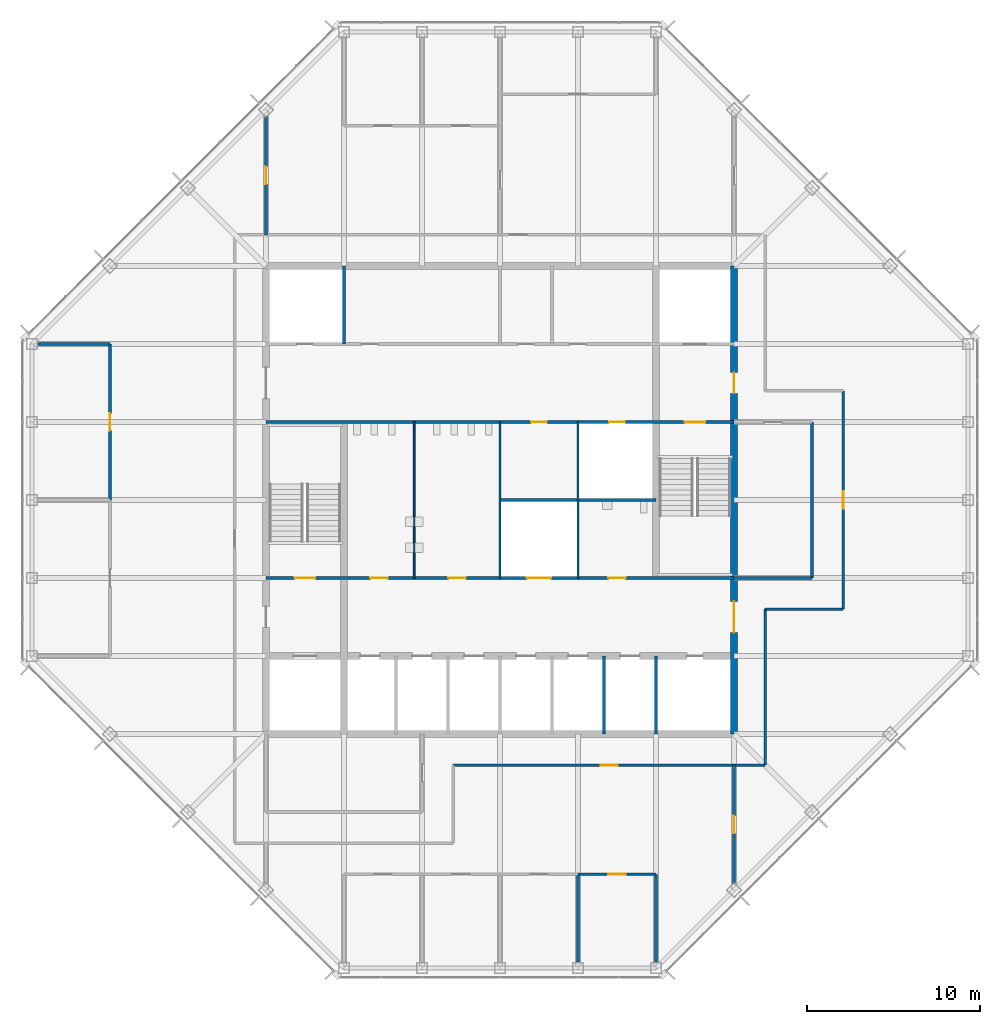
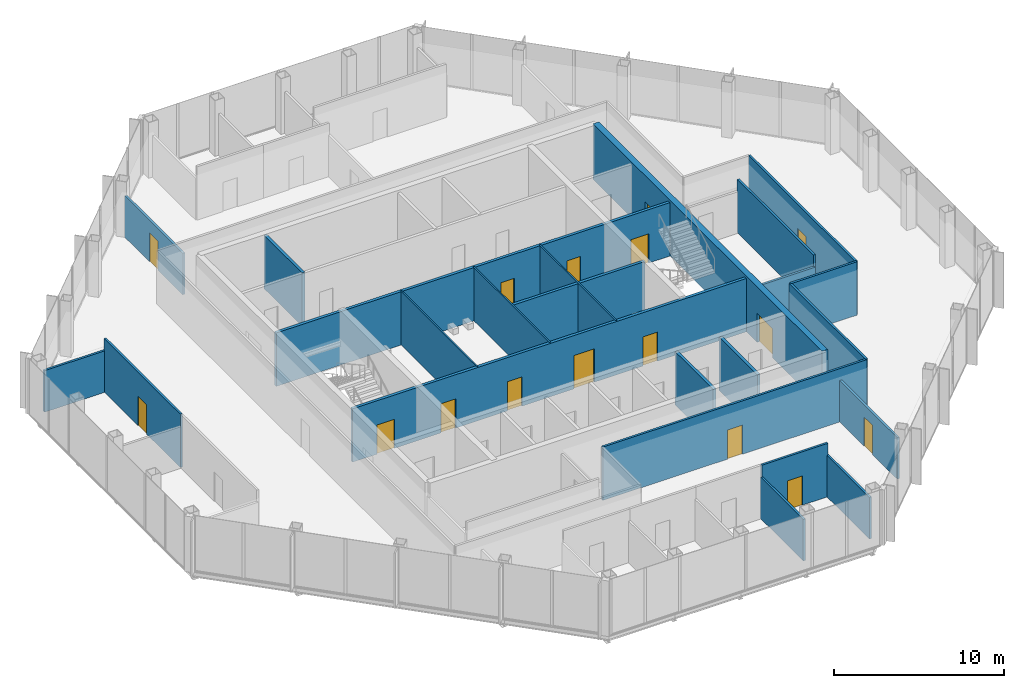
# One storey, part 10 of 13: 23 walls, 16 doors, 16 openings.
"""IFC4 building model written with IfcOpenShell, lengths in metres."""

from ifc_helpers import new_model, si_unit, direction, frame, frame_2d, origin, place, context, subcontext, project, spatial, rectangle, extrude, material, layer, layer_set, type_object, element, fill, save


model = new_model("IFC4")

# Units and contexts
model_context = context("Model", 3, precision=1e-05, world=origin(), true_north=direction((0.0, 1.0)))
body_context = subcontext(model_context, "Body", "Model", "MODEL_VIEW")
ifc_project = project(units=[si_unit("LENGTHUNIT", "METRE"), si_unit("AREAUNIT", "SQUARE_METRE"), si_unit("VOLUMEUNIT", "CUBIC_METRE"), si_unit("PLANEANGLEUNIT", "RADIAN"), si_unit("MASSUNIT", "GRAM", prefix="KILO")], contexts=[model_context])

# Site, building, storey
site_placement = place(None, origin())
site = spatial("IfcSite", under=ifc_project, at=site_placement, CompositionType="ELEMENT")
building_placement = place(site_placement, origin())
building = spatial("IfcBuilding", under=site, at=building_placement, Name="Corais Broadcast Tower", CompositionType="ELEMENT")
storey_placement = place(building_placement, frame((0.0, 0.0, 222.60009765625)))
storey = spatial("IfcBuildingStorey", under=building, at=storey_placement, Name="L51", CompositionType="ELEMENT", Elevation=222.60009765625)

# Walls
ifc_material_1 = material(Name="Concrete blockwork class A, grouted, two-hour", Category="masonry")
ifc_layer_1 = layer(ifc_material_1, 0.199951171875)
ifc_layer_set_1 = layer_set([ifc_layer_1], Name="Concrete blockwork class A, grouted, two-hour")
wall_type_1 = type_object("IfcWallType", Name="Core lobby wall 200", PredefinedType="SOLIDWALL", material=ifc_layer_set_1)
for number, where, z_axis, x_axis, name in (
    (1, (18.0, 36.0, 0.0), (0.0, 0.0, 1.0), (0.0, 1.0, 0.0), "CL3 core shaft wall X18B L51"),
    (2, (36.0, 13.5, 0.0), (0.0, 0.0, 1.0), (0.0, 1.0, 0.0), "CL3 core shaft wall X36A L51"),
):
    element("IfcWall", number, at=place(storey_placement, frame(where, z_axis=z_axis, x_axis=x_axis)), inside=storey, type_object=wall_type_1, Name=name, PredefinedType="SOLIDWALL", context=body_context, shape_type="SweptSolid", body=[
        extrude(rectangle(XDim=4.5, YDim=0.199951171875, at=frame_2d((2.25, 0.0))), origin(), (0.0, 0.0, 1.0), 3.83984375),
    ])

# Wall, openings, doors
wall_1_placement = place(storey_placement, frame((13.5, 22.5, 0.0), z_axis=(0.0, 0.0, 1.0), x_axis=(1.0, 0.0, 0.0)))
wall_1 = element("IfcWall", 3, at=wall_1_placement, inside=storey, type_object=wall_type_1, Name="CL3 core lobby wall Y225 L51", PredefinedType="SOLIDWALL", context=body_context, shape_type="SweptSolid", body=[
    extrude(rectangle(XDim=27.0, YDim=0.199951171875, at=frame_2d((13.5, 0.0))), origin(), (0.0, 0.0, 1.0), 3.83984375),
])
opening_1_placement = place(wall_1_placement, frame((1.64990234375, 0.0, 0.0)))
opening_1 = element("IfcOpeningElement", 4, at=opening_1_placement, cuts=wall_1, Name="Opening FD1", PredefinedType="OPENING", context=body_context, shape_type="SweptSolid", body=[
    extrude(rectangle(XDim=1.199951171875, YDim=2.10009765625, at=frame_2d((0.60009765625, 1.050048828125))), frame((0.0, 0.10986328125, 0.0), z_axis=(0.0, -1.0, 0.0), x_axis=(1.0, 0.0, 0.0)), (0.0, 0.0, 1.0), 0.219970703125),
])
opening_2_placement = place(wall_1_placement, frame((6.02490234375, 0.0, 0.0)))
opening_2 = element("IfcOpeningElement", 5, at=opening_2_placement, cuts=wall_1, Name="Opening WD1", PredefinedType="OPENING", context=body_context, shape_type="SweptSolid", body=[
    extrude(rectangle(XDim=1.0, YDim=2.10009765625, at=frame_2d((0.5, 1.050048828125))), frame((0.0, 0.10986328125, 0.0), z_axis=(0.0, -1.0, 0.0), x_axis=(1.0, 0.0, 0.0)), (0.0, 0.0, 1.0), 0.219970703125),
])
opening_3_placement = place(wall_1_placement, frame((10.52490234375, 0.0, 0.0)))
opening_3 = element("IfcOpeningElement", 6, at=opening_3_placement, cuts=wall_1, Name="Opening WD1", PredefinedType="OPENING", context=body_context, shape_type="SweptSolid", body=[
    extrude(rectangle(XDim=1.0, YDim=2.10009765625, at=frame_2d((0.5, 1.050048828125))), frame((0.0, 0.10986328125, 0.0), z_axis=(0.0, -1.0, 0.0), x_axis=(1.0, 0.0, 0.0)), (0.0, 0.0, 1.0), 0.219970703125),
])
opening_4_placement = place(wall_1_placement, frame((19.75, 0.0, 0.0)))
opening_4 = element("IfcOpeningElement", 7, at=opening_4_placement, cuts=wall_1, Name="Opening WD1", PredefinedType="OPENING", context=body_context, shape_type="SweptSolid", body=[
    extrude(rectangle(XDim=1.0, YDim=2.10009765625, at=frame_2d((0.5, 1.050048828125))), frame((0.0, 0.10986328125, 0.0), z_axis=(0.0, -1.0, 0.0), x_axis=(1.0, 0.0, 0.0)), (0.0, 0.0, 1.0), 0.219970703125),
])
opening_5_placement = place(wall_1_placement, frame((15.050048828125, 0.0, 0.0)))
opening_5 = element("IfcOpeningElement", 8, at=opening_5_placement, cuts=wall_1, Name="Opening LD3", PredefinedType="OPENING", context=body_context, shape_type="SweptSolid", body=[
    extrude(rectangle(XDim=1.39990234375, YDim=2.39990234375, at=frame_2d((0.699951171875, 1.199951171875))), frame((0.0, 0.10986328125, 0.0), z_axis=(0.0, -1.0, 0.0), x_axis=(1.0, 0.0, 0.0)), (0.0, 0.0, 1.0), 0.219970703125),
])
ifc_material_2 = material(Name="Steel fire door", Category="steel")
door_type_1 = type_object("IfcDoorType", Name="Fire door 1200x2100", OperationType="SINGLE_SWING_LEFT", PredefinedType="DOOR", material=ifc_material_2)
door_1_placement = place(opening_1_placement, origin())
door_1 = element("IfcDoor", 9, at=door_1_placement, inside=storey, type_object=door_type_1, Name="FD1 stair A door L51", OperationType="SINGLE_SWING_LEFT", OverallHeight=2.10009765625, OverallWidth=1.199951171875, PredefinedType="DOOR", context=body_context, shape_type="SweptSolid", body=[
    extrude(rectangle(XDim=1.199951171875, YDim=2.10009765625, at=frame_2d((0.60009765625, 1.050048828125))), frame((0.0, 0.02490234375, 0.0), z_axis=(0.0, -1.0, 0.0), x_axis=(1.0, 0.0, 0.0)), (0.0, 0.0, 1.0), 0.050048828125),
])
fill(opening_1, door_1)
ifc_material_3 = material(Name="Stainless steel lift door", Category="steel")
door_type_2 = type_object("IfcDoorType", Name="Service lift landing door 1400x2400", OperationType="SLIDING_TO_LEFT", PredefinedType="DOOR", material=ifc_material_3)
door_2_placement = place(opening_5_placement, origin())
door_2 = element("IfcDoor", 10, at=door_2_placement, inside=storey, type_object=door_type_2, Name="LD3 SL1 landing door L51", OperationType="SLIDING_TO_LEFT", OverallHeight=2.39990234375, OverallWidth=1.39990234375, PredefinedType="DOOR", context=body_context, shape_type="SweptSolid", body=[
    extrude(rectangle(XDim=1.39990234375, YDim=2.39990234375, at=frame_2d((0.699951171875, 1.199951171875))), frame((0.0, 0.02490234375, 0.0), z_axis=(0.0, -1.0, 0.0), x_axis=(1.0, 0.0, 0.0)), (0.0, 0.0, 1.0), 0.050048828125),
])
fill(opening_5, door_2)
ifc_material_4 = material(Name="Timber door", Category="wood")
door_type_3 = type_object("IfcDoorType", Name="Toilet door 1000x2100", OperationType="SINGLE_SWING_LEFT", PredefinedType="DOOR", material=ifc_material_4)
door_3_placement = place(opening_2_placement, origin())
door_3 = element("IfcDoor", 11, at=door_3_placement, inside=storey, type_object=door_type_3, Name="WD1 WC male door L51", OperationType="SINGLE_SWING_LEFT", OverallHeight=2.10009765625, OverallWidth=1.0, PredefinedType="DOOR", context=body_context, shape_type="SweptSolid", body=[
    extrude(rectangle(XDim=1.0, YDim=2.10009765625, at=frame_2d((0.5, 1.050048828125))), frame((0.0, 0.02490234375, 0.0), z_axis=(0.0, -1.0, 0.0), x_axis=(1.0, 0.0, 0.0)), (0.0, 0.0, 1.0), 0.050048828125),
])
fill(opening_2, door_3)
door_4_placement = place(opening_3_placement, origin())
door_4 = element("IfcDoor", 12, at=door_4_placement, inside=storey, type_object=door_type_3, Name="WD1 WC female door L51", OperationType="SINGLE_SWING_LEFT", OverallHeight=2.10009765625, OverallWidth=1.0, PredefinedType="DOOR", context=body_context, shape_type="SweptSolid", body=[
    extrude(rectangle(XDim=1.0, YDim=2.10009765625, at=frame_2d((0.5, 1.050048828125))), frame((0.0, 0.02490234375, 0.0), z_axis=(0.0, -1.0, 0.0), x_axis=(1.0, 0.0, 0.0)), (0.0, 0.0, 1.0), 0.050048828125),
])
fill(opening_3, door_4)
door_5_placement = place(opening_4_placement, origin())
door_5 = element("IfcDoor", 13, at=door_5_placement, inside=storey, type_object=door_type_3, Name="WD1 accessible WC door L51", OperationType="SINGLE_SWING_RIGHT", OverallHeight=2.10009765625, OverallWidth=1.0, PredefinedType="DOOR", context=body_context, shape_type="SweptSolid", body=[
    extrude(rectangle(XDim=1.0, YDim=2.10009765625, at=frame_2d((0.5, 1.050048828125))), frame((0.0, 0.02490234375, 0.0), z_axis=(0.0, -1.0, 0.0), x_axis=(1.0, 0.0, 0.0)), (0.0, 0.0, 1.0), 0.050048828125),
])
fill(opening_4, door_5)

wall_2_placement = place(storey_placement, frame((13.5, 31.5, 0.0), z_axis=(0.0, 0.0, 1.0), x_axis=(1.0, 0.0, 0.0)))
wall_2 = element("IfcWall", 14, at=wall_2_placement, inside=storey, type_object=wall_type_1, Name="CL3 core lobby wall Y315 L51", PredefinedType="SOLIDWALL", context=body_context, shape_type="SweptSolid", body=[
    extrude(rectangle(XDim=27.0, YDim=0.199951171875, at=frame_2d((13.5, 0.0))), origin(), (0.0, 0.0, 1.0), 3.83984375),
])
opening_6_placement = place(wall_2_placement, frame((24.14990234375, 0.0, 0.0)))
opening_6 = element("IfcOpeningElement", 15, at=opening_6_placement, cuts=wall_2, Name="Opening FD1", PredefinedType="OPENING", context=body_context, shape_type="SweptSolid", body=[
    extrude(rectangle(XDim=1.199951171875, YDim=2.10009765625, at=frame_2d((0.60009765625, 1.050048828125))), frame((0.0, 0.10986328125, 0.0), z_axis=(0.0, -1.0, 0.0), x_axis=(1.0, 0.0, 0.0)), (0.0, 0.0, 1.0), 0.219970703125),
])
opening_7_placement = place(wall_2_placement, frame((15.300048828125, 0.0, 0.0)))
opening_7 = element("IfcOpeningElement", 16, at=opening_7_placement, cuts=wall_2, Name="Opening RD1", PredefinedType="OPENING", context=body_context, shape_type="SweptSolid", body=[
    extrude(rectangle(XDim=0.89990234375, YDim=2.10009765625, at=frame_2d((0.449951171875, 1.050048828125))), frame((0.0, 0.10986328125, 0.0), z_axis=(0.0, -1.0, 0.0), x_axis=(1.0, 0.0, 0.0)), (0.0, 0.0, 1.0), 0.219970703125),
])
opening_8_placement = place(wall_2_placement, frame((19.800048828125, 0.0, 0.0)))
opening_8 = element("IfcOpeningElement", 17, at=opening_8_placement, cuts=wall_2, Name="Opening RD1", PredefinedType="OPENING", context=body_context, shape_type="SweptSolid", body=[
    extrude(rectangle(XDim=0.89990234375, YDim=2.10009765625, at=frame_2d((0.449951171875, 1.050048828125))), frame((0.0, 0.10986328125, 0.0), z_axis=(0.0, -1.0, 0.0), x_axis=(1.0, 0.0, 0.0)), (0.0, 0.0, 1.0), 0.219970703125),
])
door_6_placement = place(opening_6_placement, origin())
door_6 = element("IfcDoor", 18, at=door_6_placement, inside=storey, type_object=door_type_1, Name="FD1 stair B door L51", OperationType="SINGLE_SWING_RIGHT", OverallHeight=2.10009765625, OverallWidth=1.199951171875, PredefinedType="DOOR", context=body_context, shape_type="SweptSolid", body=[
    extrude(rectangle(XDim=1.199951171875, YDim=2.10009765625, at=frame_2d((0.60009765625, 1.050048828125))), frame((0.0, 0.02490234375, 0.0), z_axis=(0.0, -1.0, 0.0), x_axis=(1.0, 0.0, 0.0)), (0.0, 0.0, 1.0), 0.050048828125),
])
fill(opening_6, door_6)
ifc_material_5 = material(Name="Steel fire door", Category="steel")
door_type_4 = type_object("IfcDoorType", Name="Riser door 900x2100", OperationType="SINGLE_SWING_LEFT", PredefinedType="DOOR", material=ifc_material_5)
door_7_placement = place(opening_7_placement, origin())
door_7 = element("IfcDoor", 19, at=door_7_placement, inside=storey, type_object=door_type_4, Name="RD1 tea point door L51", OperationType="SINGLE_SWING_RIGHT", OverallHeight=2.10009765625, OverallWidth=0.89990234375, PredefinedType="DOOR", context=body_context, shape_type="SweptSolid", body=[
    extrude(rectangle(XDim=0.89990234375, YDim=2.10009765625, at=frame_2d((0.449951171875, 1.050048828125))), frame((0.0, 0.02490234375, 0.0), z_axis=(0.0, -1.0, 0.0), x_axis=(1.0, 0.0, 0.0)), (0.0, 0.0, 1.0), 0.050048828125),
])
fill(opening_7, door_7)
door_8_placement = place(opening_8_placement, origin())
door_8 = element("IfcDoor", 20, at=door_8_placement, inside=storey, type_object=door_type_4, Name="RD1 riser door L51", OperationType="SINGLE_SWING_RIGHT", OverallHeight=2.10009765625, OverallWidth=0.89990234375, PredefinedType="DOOR", context=body_context, shape_type="SweptSolid", body=[
    extrude(rectangle(XDim=0.89990234375, YDim=2.10009765625, at=frame_2d((0.449951171875, 1.050048828125))), frame((0.0, 0.02490234375, 0.0), z_axis=(0.0, -1.0, 0.0), x_axis=(1.0, 0.0, 0.0)), (0.0, 0.0, 1.0), 0.050048828125),
])
fill(opening_8, door_8)

ifc_material_6 = material(Name="Concrete C50/60", Category="concrete")
ifc_layer_2 = layer(ifc_material_6, 0.39990234375)
ifc_layer_set_2 = layer_set([ifc_layer_2], Name="Concrete C50/60")
wall_type_2 = type_object("IfcWallType", Name="Core wall 400", PredefinedType="SHEAR", material=ifc_layer_set_2)
wall_3_placement = place(storey_placement, frame((40.5, 13.5, 0.0), z_axis=(0.0, 0.0, 1.0), x_axis=(0.0, 1.0, 0.0)))
wall_3 = element("IfcWall", 21, at=wall_3_placement, inside=storey, type_object=wall_type_2, Name="CR400 core wall E L51", PredefinedType="SHEAR", context=body_context, shape_type="SweptSolid", body=[
    extrude(rectangle(XDim=27.0, YDim=0.39990234375, at=frame_2d((13.5, 0.0))), origin(), (0.0, 0.0, 1.0), 4.0),
])
opening_9_placement = place(wall_3_placement, frame((5.85009765625, 0.0, 0.0)))
opening_9 = element("IfcOpeningElement", 22, at=opening_9_placement, cuts=wall_3, Name="Opening FD2", PredefinedType="OPENING", context=body_context, shape_type="SweptSolid", body=[
    extrude(rectangle(XDim=1.800048828125, YDim=2.10009765625, at=frame_2d((0.89990234375, 1.050048828125))), frame((0.0, 0.2099609375, 0.0), z_axis=(0.0, -1.0, 0.0), x_axis=(1.0, 0.0, 0.0)), (0.0, 0.0, 1.0), 0.419921875),
])
opening_10_placement = place(wall_3_placement, frame((19.64990234375, 0.0, 0.0)))
opening_10 = element("IfcOpeningElement", 23, at=opening_10_placement, cuts=wall_3, Name="Opening FD1", PredefinedType="OPENING", context=body_context, shape_type="SweptSolid", body=[
    extrude(rectangle(XDim=1.199951171875, YDim=2.10009765625, at=frame_2d((0.60009765625, 1.050048828125))), frame((0.0, 0.2099609375, 0.0), z_axis=(0.0, -1.0, 0.0), x_axis=(1.0, 0.0, 0.0)), (0.0, 0.0, 1.0), 0.419921875),
])
door_9_placement = place(opening_10_placement, origin())
door_9 = element("IfcDoor", 24, at=door_9_placement, inside=storey, type_object=door_type_1, Name="FD1 fire lobby B door L51", OperationType="SINGLE_SWING_RIGHT", OverallHeight=2.10009765625, OverallWidth=1.199951171875, PredefinedType="DOOR", context=body_context, shape_type="SweptSolid", body=[
    extrude(rectangle(XDim=1.199951171875, YDim=2.10009765625, at=frame_2d((0.60009765625, 1.050048828125))), frame((0.0, 0.02490234375, 0.0), z_axis=(0.0, -1.0, 0.0), x_axis=(1.0, 0.0, 0.0)), (0.0, 0.0, 1.0), 0.050048828125),
])
fill(opening_10, door_9)
ifc_material_7 = material(Name="Steel fire door", Category="steel")
door_type_5 = type_object("IfcDoorType", Name="Fire door pair 1800x2100", OperationType="DOUBLE_DOOR_SINGLE_SWING", PredefinedType="DOOR", material=ifc_material_7)
door_10_placement = place(opening_9_placement, origin())
door_10 = element("IfcDoor", 25, at=door_10_placement, inside=storey, type_object=door_type_5, Name="FD2 lift lobby door L51", OperationType="SINGLE_SWING_LEFT", OverallHeight=2.10009765625, OverallWidth=1.800048828125, PredefinedType="DOOR", context=body_context, shape_type="SweptSolid", body=[
    extrude(rectangle(XDim=1.800048828125, YDim=2.10009765625, at=frame_2d((0.89990234375, 1.050048828125))), frame((0.0, 0.02490234375, 0.0), z_axis=(0.0, -1.0, 0.0), x_axis=(1.0, 0.0, 0.0)), (0.0, 0.0, 1.0), 0.050048828125),
])
fill(opening_9, door_10)

# Wall, opening, door
ifc_material_8 = material(Name="Gypsum board on steel studs", Category="steel")
ifc_layer_3 = layer(ifc_material_8, 0.14990234375)
ifc_layer_set_3 = layer_set([ifc_layer_3], Name="Gypsum board on steel studs")
wall_type_3 = type_object("IfcWallType", Name="Partition 150", PredefinedType="PARTITIONING", material=ifc_layer_set_3)
wall_4_placement = place(storey_placement, frame((24.300048828125, 11.699951171875, 0.0), z_axis=(0.0, 0.0, 1.0), x_axis=(1.0, 0.0, 0.0)))
wall_4 = element("IfcWall", 26, at=wall_4_placement, inside=storey, type_object=wall_type_3, Name="IW3 corridor wall L51", PredefinedType="PARTITIONING", context=body_context, shape_type="SweptSolid", body=[
    extrude(rectangle(XDim=18.0, YDim=0.14990234375, at=frame_2d((9.0, 0.0))), origin(), (0.0, 0.0, 1.0), 3.83984375),
])
opening_11_placement = place(wall_4_placement, frame((8.5, 0.0, 0.0)))
opening_11 = element("IfcOpeningElement", 27, at=opening_11_placement, cuts=wall_4, Name="Opening D1", PredefinedType="OPENING", context=body_context, shape_type="SweptSolid", body=[
    extrude(rectangle(XDim=1.0, YDim=2.10009765625, at=frame_2d((0.5, 1.050048828125))), frame((0.0, 0.0849609375, 0.0), z_axis=(0.0, -1.0, 0.0), x_axis=(1.0, 0.0, 0.0)), (0.0, 0.0, 1.0), 0.169921875),
])
ifc_material_9 = material(Name="Timber door", Category="wood")
door_type_6 = type_object("IfcDoorType", Name="Single door 1000x2100", OperationType="SINGLE_SWING_LEFT", PredefinedType="DOOR", material=ifc_material_9)
door_11_placement = place(opening_11_placement, origin())
door_11 = element("IfcDoor", 28, at=door_11_placement, inside=storey, type_object=door_type_6, Name="D1 workplace door L51", OperationType="SINGLE_SWING_LEFT", OverallHeight=2.10009765625, OverallWidth=1.0, PredefinedType="DOOR", context=body_context, shape_type="SweptSolid", body=[
    extrude(rectangle(XDim=1.0, YDim=2.10009765625, at=frame_2d((0.5, 1.050048828125))), frame((0.0, 0.02490234375, 0.0), z_axis=(0.0, -1.0, 0.0), x_axis=(1.0, 0.0, 0.0)), (0.0, 0.0, 1.0), 0.050048828125),
])
fill(opening_11, door_11)

wall_5_placement = place(storey_placement, frame((46.800048828125, 20.699951171875, 0.0), z_axis=(0.0, 0.0, 1.0), x_axis=(0.0, 1.0, 0.0)))
wall_5 = element("IfcWall", 29, at=wall_5_placement, inside=storey, type_object=wall_type_3, Name="IW3 corridor wall L51", PredefinedType="PARTITIONING", context=body_context, shape_type="SweptSolid", body=[
    extrude(rectangle(XDim=12.60009765625, YDim=0.14990234375, at=frame_2d((6.300048828125, 0.0))), origin(), (0.0, 0.0, 1.0), 3.83984375),
])
opening_12_placement = place(wall_5_placement, frame((5.800048828125, 0.0, 0.0)))
opening_12 = element("IfcOpeningElement", 30, at=opening_12_placement, cuts=wall_5, Name="Opening D1", PredefinedType="OPENING", context=body_context, shape_type="SweptSolid", body=[
    extrude(rectangle(XDim=1.0, YDim=2.10009765625, at=frame_2d((0.5, 1.050048828125))), frame((0.0, 0.0849609375, 0.0), z_axis=(0.0, -1.0, 0.0), x_axis=(1.0, 0.0, 0.0)), (0.0, 0.0, 1.0), 0.169921875),
])
door_12_placement = place(opening_12_placement, origin())
door_12 = element("IfcDoor", 31, at=door_12_placement, inside=storey, type_object=door_type_6, Name="D1 workplace door L51", OperationType="SINGLE_SWING_LEFT", OverallHeight=2.10009765625, OverallWidth=1.0, PredefinedType="DOOR", context=body_context, shape_type="SweptSolid", body=[
    extrude(rectangle(XDim=1.0, YDim=2.10009765625, at=frame_2d((0.5, 1.050048828125))), frame((0.0, 0.02490234375, 0.0), z_axis=(0.0, -1.0, 0.0), x_axis=(1.0, 0.0, 0.0)), (0.0, 0.0, 1.0), 0.050048828125),
])
fill(opening_12, door_12)

# Walls
wall_6_placement = place(storey_placement, frame((42.300048828125, 11.699951171875, 0.0), z_axis=(0.0, 0.0, 1.0), x_axis=(0.0, 1.0, 0.0)))
element("IfcWall", 32, at=wall_6_placement, inside=storey, type_object=wall_type_3, Name="IW3 corridor wall L51", PredefinedType="PARTITIONING", context=body_context, shape_type="SweptSolid", body=[
    extrude(rectangle(XDim=9.0, YDim=0.14990234375, at=frame_2d((4.5, 0.0))), origin(), (0.0, 0.0, 1.0), 3.83984375),
])
wall_7_placement = place(storey_placement, frame((42.300048828125, 20.699951171875, 0.0), z_axis=(0.0, 0.0, 1.0), x_axis=(1.0, 0.0, 0.0)))
element("IfcWall", 33, at=wall_7_placement, inside=storey, type_object=wall_type_3, Name="IW3 corridor wall L51", PredefinedType="PARTITIONING", context=body_context, shape_type="SweptSolid", body=[
    extrude(rectangle(XDim=4.5, YDim=0.14990234375, at=frame_2d((2.25, 0.0))), origin(), (0.0, 0.0, 1.0), 3.83984375),
])

# Wall, opening, door
wall_8_placement = place(storey_placement, frame((4.5, 27.0, 0.0), z_axis=(0.0, 0.0, 1.0), x_axis=(0.0, 1.0, 0.0)))
wall_8 = element("IfcWall", 34, at=wall_8_placement, inside=storey, type_object=wall_type_3, Name="IW3 partition L51", PredefinedType="PARTITIONING", context=body_context, shape_type="SweptSolid", body=[
    extrude(rectangle(XDim=9.0, YDim=0.14990234375, at=frame_2d((4.5, 0.0))), origin(), (0.0, 0.0, 1.0), 3.83984375),
])
opening_13_placement = place(wall_8_placement, frame((4.0, 0.0, 0.0)))
opening_13 = element("IfcOpeningElement", 35, at=opening_13_placement, cuts=wall_8, Name="Opening D1", PredefinedType="OPENING", context=body_context, shape_type="SweptSolid", body=[
    extrude(rectangle(XDim=1.0, YDim=2.10009765625, at=frame_2d((0.5, 1.050048828125))), frame((0.0, 0.0849609375, 0.0), z_axis=(0.0, -1.0, 0.0), x_axis=(1.0, 0.0, 0.0)), (0.0, 0.0, 1.0), 0.169921875),
])
door_13_placement = place(opening_13_placement, origin())
door_13 = element("IfcDoor", 36, at=door_13_placement, inside=storey, type_object=door_type_6, Name="D1 Office door", OperationType="SINGLE_SWING_LEFT", OverallHeight=2.10009765625, OverallWidth=1.0, PredefinedType="DOOR", context=body_context, shape_type="SweptSolid", body=[
    extrude(rectangle(XDim=1.0, YDim=2.10009765625, at=frame_2d((0.5, 1.050048828125))), frame((0.0, 0.02490234375, 0.0), z_axis=(0.0, -1.0, 0.0), x_axis=(1.0, 0.0, 0.0)), (0.0, 0.0, 1.0), 0.050048828125),
])
fill(opening_13, door_13)

# Walls
wall_9_placement = place(storey_placement, frame((4.5, 36.0, 0.0), z_axis=(0.0, 0.0, 1.0), x_axis=(-1.0, 0.0, 0.0)))
element("IfcWall", 37, at=wall_9_placement, inside=storey, type_object=wall_type_3, Name="IW3 partition L51", PredefinedType="PARTITIONING", context=body_context, shape_type="SweptSolid", body=[
    extrude(rectangle(XDim=4.1650390625, YDim=0.14990234375, at=frame_2d((2.08251953125, 0.0))), origin(), (0.0, 0.0, 1.0), 2.989013671875),
])
for number, where, z_axis, x_axis, name in (
    (38, (31.5, 0.3349609375, 0.0), (0.0, 0.0, 1.0), (0.0, 1.0, 0.0), "IW3 partition L51"),
    (39, (36.0, 0.3349609375, 0.0), (0.0, 0.0, 1.0), (0.0, 1.0, 0.0), "IW3 partition L51"),
):
    element("IfcWall", number, at=place(storey_placement, frame(where, z_axis=z_axis, x_axis=x_axis)), inside=storey, type_object=wall_type_3, Name=name, PredefinedType="PARTITIONING", context=body_context, shape_type="SweptSolid", body=[
        extrude(rectangle(XDim=5.06494140625, YDim=0.14990234375, at=frame_2d((2.532470703125, 0.0))), origin(), (0.0, 0.0, 1.0), 2.989013671875),
    ])

# Wall, opening, door
wall_10_placement = place(storey_placement, frame((36.0, 5.39990234375, 0.0), z_axis=(0.0, 0.0, 1.0), x_axis=(-1.0, 0.0, 0.0)))
wall_10 = element("IfcWall", 40, at=wall_10_placement, inside=storey, type_object=wall_type_3, Name="IW3 partition L51", PredefinedType="PARTITIONING", context=body_context, shape_type="SweptSolid", body=[
    extrude(rectangle(XDim=4.5, YDim=0.14990234375, at=frame_2d((2.25, 0.0))), origin(), (0.0, 0.0, 1.0), 3.83984375),
])
opening_14_placement = place(wall_10_placement, frame((1.75, 0.0, 0.0)))
opening_14 = element("IfcOpeningElement", 41, at=opening_14_placement, cuts=wall_10, Name="Opening D1", PredefinedType="OPENING", context=body_context, shape_type="SweptSolid", body=[
    extrude(rectangle(XDim=1.0, YDim=2.10009765625, at=frame_2d((0.5, 1.050048828125))), frame((0.0, 0.0849609375, 0.0), z_axis=(0.0, -1.0, 0.0), x_axis=(1.0, 0.0, 0.0)), (0.0, 0.0, 1.0), 0.169921875),
])
door_14_placement = place(opening_14_placement, origin())
door_14 = element("IfcDoor", 42, at=door_14_placement, inside=storey, type_object=door_type_6, Name="D1 Edit room door", OperationType="SINGLE_SWING_LEFT", OverallHeight=2.10009765625, OverallWidth=1.0, PredefinedType="DOOR", context=body_context, shape_type="SweptSolid", body=[
    extrude(rectangle(XDim=1.0, YDim=2.10009765625, at=frame_2d((0.5, 1.050048828125))), frame((0.0, 0.02490234375, 0.0), z_axis=(0.0, -1.0, 0.0), x_axis=(1.0, 0.0, 0.0)), (0.0, 0.0, 1.0), 0.050048828125),
])
fill(opening_14, door_14)

# Walls
wall_11_placement = place(storey_placement, frame((40.5, 22.5, 0.0), z_axis=(0.0, 0.0, 1.0), x_axis=(1.0, 0.0, 0.0)))
element("IfcWall", 43, at=wall_11_placement, inside=storey, type_object=wall_type_3, Name="IW3 partition L51", PredefinedType="PARTITIONING", context=body_context, shape_type="SweptSolid", body=[
    extrude(rectangle(XDim=4.5, YDim=0.14990234375, at=frame_2d((2.25, 0.0))), origin(), (0.0, 0.0, 1.0), 2.989013671875),
])
wall_12_placement = place(storey_placement, frame((45.0, 22.5, 0.0), z_axis=(0.0, 0.0, 1.0), x_axis=(0.0, 1.0, 0.0)))
element("IfcWall", 44, at=wall_12_placement, inside=storey, type_object=wall_type_3, Name="IW3 partition L51", PredefinedType="PARTITIONING", context=body_context, shape_type="SweptSolid", body=[
    extrude(rectangle(XDim=9.0, YDim=0.14990234375, at=frame_2d((4.5, 0.0))), origin(), (0.0, 0.0, 1.0), 3.83984375),
])

# Wall, opening, door
wall_13_placement = place(storey_placement, frame((40.5, 4.844970703125, 0.0), z_axis=(0.0, 0.0, 1.0), x_axis=(0.0, 1.0, 0.0)))
wall_13 = element("IfcWall", 45, at=wall_13_placement, inside=storey, type_object=wall_type_3, Name="IW3 partition L51", PredefinedType="PARTITIONING", context=body_context, shape_type="SweptSolid", body=[
    extrude(rectangle(XDim=6.85498046875, YDim=0.14990234375, at=frame_2d((3.427490234375, 0.0))), origin(), (0.0, 0.0, 1.0), 2.989013671875),
])
opening_15_placement = place(wall_13_placement, frame((2.927490234375, 0.0, 0.0)))
opening_15 = element("IfcOpeningElement", 46, at=opening_15_placement, cuts=wall_13, Name="Opening D1", PredefinedType="OPENING", context=body_context, shape_type="SweptSolid", body=[
    extrude(rectangle(XDim=1.0, YDim=2.10009765625, at=frame_2d((0.5, 1.050048828125))), frame((0.0, 0.0849609375, 0.0), z_axis=(0.0, -1.0, 0.0), x_axis=(1.0, 0.0, 0.0)), (0.0, 0.0, 1.0), 0.169921875),
])
door_15_placement = place(opening_15_placement, origin())
door_15 = element("IfcDoor", 47, at=door_15_placement, inside=storey, type_object=door_type_6, Name="D1 team room door L51", OperationType="SINGLE_SWING_LEFT", OverallHeight=2.10009765625, OverallWidth=1.0, PredefinedType="DOOR", context=body_context, shape_type="SweptSolid", body=[
    extrude(rectangle(XDim=1.0, YDim=2.10009765625, at=frame_2d((0.5, 1.050048828125))), frame((0.0, 0.02490234375, 0.0), z_axis=(0.0, -1.0, 0.0), x_axis=(1.0, 0.0, 0.0)), (0.0, 0.0, 1.0), 0.050048828125),
])
fill(opening_15, door_15)

wall_14_placement = place(storey_placement, frame((13.5, 49.155029296875, 0.0), z_axis=(0.0, 0.0, 1.0), x_axis=(0.0, -1.0, 0.0)))
wall_14 = element("IfcWall", 48, at=wall_14_placement, inside=storey, type_object=wall_type_3, Name="IW3 partition L51", PredefinedType="PARTITIONING", context=body_context, shape_type="SweptSolid", body=[
    extrude(rectangle(XDim=6.85498046875, YDim=0.14990234375, at=frame_2d((3.427490234375, 0.0))), origin(), (0.0, 0.0, 1.0), 2.989013671875),
])
opening_16_placement = place(wall_14_placement, frame((2.927490234375, 0.0, 0.0)))
opening_16 = element("IfcOpeningElement", 49, at=opening_16_placement, cuts=wall_14, Name="Opening D1", PredefinedType="OPENING", context=body_context, shape_type="SweptSolid", body=[
    extrude(rectangle(XDim=1.0, YDim=2.10009765625, at=frame_2d((0.5, 1.050048828125))), frame((0.0, 0.0849609375, 0.0), z_axis=(0.0, -1.0, 0.0), x_axis=(1.0, 0.0, 0.0)), (0.0, 0.0, 1.0), 0.169921875),
])
door_16_placement = place(opening_16_placement, origin())
door_16 = element("IfcDoor", 50, at=door_16_placement, inside=storey, type_object=door_type_6, Name="D1 team room door L51", OperationType="SINGLE_SWING_LEFT", OverallHeight=2.10009765625, OverallWidth=1.0, PredefinedType="DOOR", context=body_context, shape_type="SweptSolid", body=[
    extrude(rectangle(XDim=1.0, YDim=2.10009765625, at=frame_2d((0.5, 1.050048828125))), frame((0.0, 0.02490234375, 0.0), z_axis=(0.0, -1.0, 0.0), x_axis=(1.0, 0.0, 0.0)), (0.0, 0.0, 1.0), 0.050048828125),
])
fill(opening_16, door_16)

# Walls
ifc_material_10 = material(Name="Concrete blockwork class A, grouted, two-hour", Category="masonry")
ifc_layer_4 = layer(ifc_material_10, 0.199951171875)
ifc_layer_set_4 = layer_set([ifc_layer_4], Name="Concrete blockwork class A, grouted, two-hour")
wall_type_4 = type_object("IfcWallType", Name="Shaft wall 200", PredefinedType="PARTITIONING", material=ifc_layer_set_4)
wall_15_placement = place(storey_placement, frame((33.0, 13.5, 0.0), z_axis=(0.0, 0.0, 1.0), x_axis=(0.0, 1.0, 0.0)))
element("IfcWall", 51, at=wall_15_placement, inside=storey, type_object=wall_type_4, Name="IW1 shaft wall L51", PredefinedType="PARTITIONING", context=body_context, shape_type="SweptSolid", body=[
    extrude(rectangle(XDim=4.5, YDim=0.199951171875, at=frame_2d((2.25, 0.0))), origin(), (0.0, 0.0, 1.0), 3.83984375),
])
wall_16_placement = place(storey_placement, frame((27.0, 27.0, 0.0), z_axis=(0.0, 0.0, 1.0), x_axis=(1.0, 0.0, 0.0)))
element("IfcWall", 52, at=wall_16_placement, inside=storey, type_object=wall_type_4, Name="IW1 shaft wall L51", PredefinedType="PARTITIONING", context=body_context, shape_type="SweptSolid", body=[
    extrude(rectangle(XDim=9.0, YDim=0.199951171875, at=frame_2d((4.5, 0.0))), origin(), (0.0, 0.0, 1.0), 3.83984375),
])
ifc_material_11 = material(Name="Dense concrete blockwork class A, tiled both faces", Category="masonry")
ifc_layer_5 = layer(ifc_material_11, 0.10009765625)
ifc_layer_set_5 = layer_set([ifc_layer_5], Name="Dense concrete blockwork class A, tiled both faces")
wall_type_5 = type_object("IfcWallType", Name="Toilet wall 100", PredefinedType="PLUMBINGWALL", material=ifc_layer_set_5)
for number, where, z_axis, x_axis, name in (
    (53, (22.050048828125, 22.5, 0.0), (0.0, 0.0, 1.0), (0.0, 1.0, 0.0), "IW2 toilet wall L51"),
    (54, (27.0, 22.5, 0.0), (0.0, 0.0, 1.0), (0.0, 1.0, 0.0), "IW2 toilet wall L51"),
    (55, (31.5, 22.5, 0.0), (0.0, 0.0, 1.0), (0.0, 1.0, 0.0), "IW2 toilet wall L51"),
):
    element("IfcWall", number, at=place(storey_placement, frame(where, z_axis=z_axis, x_axis=x_axis)), inside=storey, type_object=wall_type_5, Name=name, PredefinedType="PLUMBINGWALL", context=body_context, shape_type="SweptSolid", body=[
        extrude(rectangle(XDim=9.0, YDim=0.10009765625, at=frame_2d((4.5, 0.0))), origin(), (0.0, 0.0, 1.0), 3.83984375),
    ])

save(model, "model.ifc")
